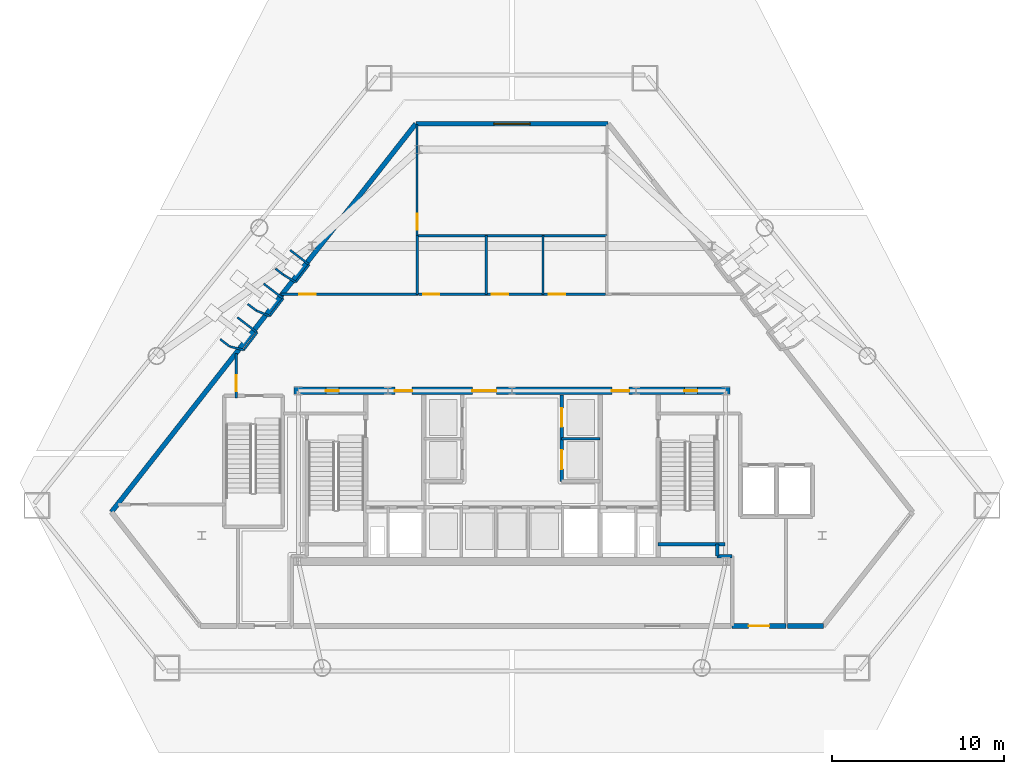
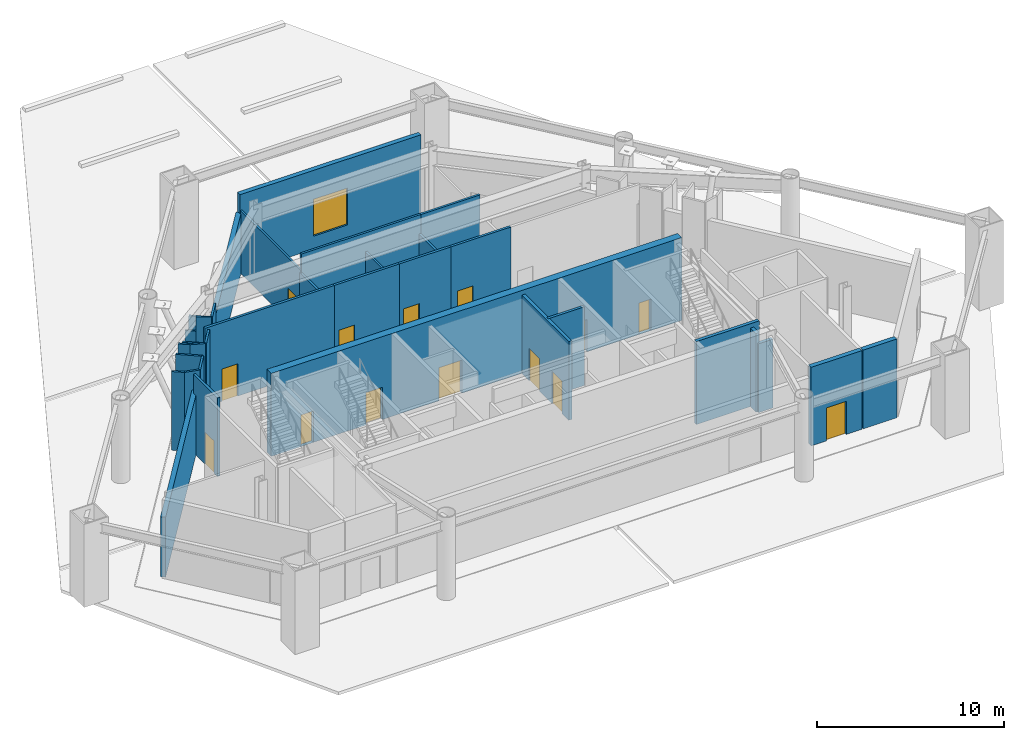
# One storey, part 5 of 9: 33 walls, 14 doors, 1 window, 15 openings.
"""IFC4 building model written with IfcOpenShell, lengths in metres."""

from ifc_helpers import new_model, si_unit, direction, frame, frame_2d, origin, place, context, subcontext, project, spatial, rectangle, extrude, material, layer, layer_set, type_object, element, fill, save


model = new_model("IFC4")

# Units and contexts
model_context = context("Model", 3, precision=1e-05, world=origin(), true_north=direction((0.0, 1.0)))
body_context = subcontext(model_context, "Body", "Model", "MODEL_VIEW")
ifc_project = project(units=[si_unit("LENGTHUNIT", "METRE"), si_unit("AREAUNIT", "SQUARE_METRE"), si_unit("VOLUMEUNIT", "CUBIC_METRE"), si_unit("PLANEANGLEUNIT", "RADIAN"), si_unit("MASSUNIT", "GRAM", prefix="KILO")], contexts=[model_context])

# Site, building, storey
site_placement = place(None, origin())
site = spatial("IfcSite", under=ifc_project, at=site_placement, CompositionType="ELEMENT")
building_placement = place(site_placement, origin())
building = spatial("IfcBuilding", under=site, at=building_placement, Name="Talgorran Terracotta Tower", CompositionType="ELEMENT")
storey_placement = place(building_placement, origin())
storey = spatial("IfcBuildingStorey", under=building, at=storey_placement, Name="L00", CompositionType="ELEMENT", Elevation=0.0)

# Wall
ifc_material_1 = material(Name="Concrete C50/60", Category="concrete")
ifc_layer_1 = layer(ifc_material_1, 0.199951171875, Name="WT_CORE_200")
ifc_layer_set_1 = layer_set([ifc_layer_1], Name="Concrete C50/60")
wall_type_1 = type_object("IfcWallType", Name="WT_CORE_200", PredefinedType="SOLIDWALL", material=ifc_layer_set_1)
wall_1_placement = place(storey_placement, frame((8.47998046875, -13.10009765625, 0.0), z_axis=(0.0, 0.0, 1.0), x_axis=(1.0, 0.0, 0.0)))
element("IfcWall", 1, at=wall_1_placement, inside=storey, type_object=wall_type_1, Name="WL-L00-CW-ST2-S", PredefinedType="SOLIDWALL", context=body_context, shape_type="SweptSolid", body=[
    extrude(rectangle(XDim=3.8701171875, YDim=0.199951171875, at=frame_2d((1.93505859375, 0.0))), origin(), (0.0, 0.0, 1.0), 5.39990234375),
])

# Wall, openings, doors
wall_2_placement = place(storey_placement, frame((2.8798828125, -9.449951171875, 0.0), z_axis=(0.0, 0.0, 1.0), x_axis=(0.0, 1.0, 0.0)))
wall_2 = element("IfcWall", 2, at=wall_2_placement, inside=storey, type_object=wall_type_1, Name="WL-L00-CW-V-E3", PredefinedType="SOLIDWALL", context=body_context, shape_type="SweptSolid", body=[
    extrude(rectangle(XDim=5.0, YDim=0.199951171875, at=frame_2d((2.5, 0.0))), origin(), (0.0, 0.0, 1.0), 5.1201171875),
])
opening_1_placement = place(wall_2_placement, frame((0.699951171875, 0.0, 0.0)))
opening_1 = element("IfcOpeningElement", 3, at=opening_1_placement, cuts=wall_2, Name="Opening LD-PLM1", PredefinedType="OPENING", context=body_context, shape_type="SweptSolid", body=[
    extrude(rectangle(XDim=1.10609765625, YDim=2.10409765625, at=frame_2d((0.550048828125, 1.052001953125))), frame((0.0, 0.10986328125, 0.0), z_axis=(0.0, -1.0, 0.0), x_axis=(1.0, 0.0, 0.0)), (0.0, 0.0, 1.0), 0.219970703125),
])
opening_2_placement = place(wall_2_placement, frame((3.14990234375, 0.0, 0.0)))
opening_2 = element("IfcOpeningElement", 4, at=opening_2_placement, cuts=wall_2, Name="Opening LD-PLM2", PredefinedType="OPENING", context=body_context, shape_type="SweptSolid", body=[
    extrude(rectangle(XDim=1.10609765625, YDim=2.10409765625, at=frame_2d((0.550048828125, 1.052001953125))), frame((0.0, 0.10986328125, 0.0), z_axis=(0.0, -1.0, 0.0), x_axis=(1.0, 0.0, 0.0)), (0.0, 0.0, 1.0), 0.219970703125),
])
ifc_material_2 = material(Name="Brushed Stainless Steel Grade 304", Category="steel")
door_type_1 = type_object("IfcDoorType", Name="DT_LIFT_LD1100", OperationType="DOUBLE_DOOR_SLIDING", PredefinedType="DOOR", material=ifc_material_2)
door_1_placement = place(opening_1_placement, origin())
door_1 = element("IfcDoor", 5, at=door_1_placement, inside=storey, type_object=door_type_1, Name="L00 Lift Landing Door LD-PLM1", OperationType="DOUBLE_DOOR_SLIDING", OverallHeight=2.10009765625, OverallWidth=1.10009765625, PredefinedType="DOOR", context=body_context, shape_type="SweptSolid", body=[
    extrude(rectangle(XDim=1.10009765625, YDim=2.10009765625, at=frame_2d((0.550048828125, 1.050048828125))), frame((0.0, 0.02490234375, 0.0), z_axis=(0.0, -1.0, 0.0), x_axis=(1.0, 0.0, 0.0)), (0.0, 0.0, 1.0), 0.050048828125),
])
fill(opening_1, door_1)
door_2_placement = place(opening_2_placement, origin())
door_2 = element("IfcDoor", 6, at=door_2_placement, inside=storey, type_object=door_type_1, Name="L00 Lift Landing Door LD-PLM2", OperationType="DOUBLE_DOOR_SLIDING", OverallHeight=2.10009765625, OverallWidth=1.10009765625, PredefinedType="DOOR", context=body_context, shape_type="SweptSolid", body=[
    extrude(rectangle(XDim=1.10009765625, YDim=2.10009765625, at=frame_2d((0.550048828125, 1.050048828125))), frame((0.0, 0.02490234375, 0.0), z_axis=(0.0, -1.0, 0.0), x_axis=(1.0, 0.0, 0.0)), (0.0, 0.0, 1.0), 0.050048828125),
])
fill(opening_2, door_2)

# Walls
wall_3_placement = place(storey_placement, frame((11.89990234375, -13.800048828125, 0.0), z_axis=(0.0, 0.0, 1.0), x_axis=(1.0, 0.0, 0.0)))
element("IfcWall", 7, at=wall_3_placement, inside=storey, type_object=wall_type_1, Name="WL-L00-PW-EXPE-S1", PredefinedType="SOLIDWALL", context=body_context, shape_type="SweptSolid", body=[
    extrude(rectangle(XDim=0.880126953125, YDim=0.199951171875, at=frame_2d((0.43994140625, 0.0))), origin(), (0.0, 0.0, 1.0), 4.4833984375),
])
wall_4_placement = place(storey_placement, frame((11.89990234375, -13.800048828125, 0.0), z_axis=(0.0, 0.0, 1.0), x_axis=(0.0, 1.0, 0.0)))
element("IfcWall", 8, at=wall_4_placement, inside=storey, type_object=wall_type_1, Name="WL-L00-PW-EXPE-W1", PredefinedType="SOLIDWALL", context=body_context, shape_type="SweptSolid", body=[
    extrude(rectangle(XDim=0.699951171875, YDim=0.199951171875, at=frame_2d((0.35009765625, 0.0))), origin(), (0.0, 0.0, 1.0), 5.1201171875),
])

# Wall, openings, doors
ifc_material_3 = material(Name="Concrete C65/80", Category="concrete")
ifc_layer_2 = layer(ifc_material_3, 0.449951171875, Name="WT_CORE_EXT")
ifc_layer_set_2 = layer_set([ifc_layer_2], Name="Concrete C65/80")
wall_type_2 = type_object("IfcWallType", Name="WT_CORE_EXT", PredefinedType="SHEAR", material=ifc_layer_set_2)
wall_5_placement = place(storey_placement, frame((-12.64990234375, -4.199951171875, 0.0), z_axis=(0.0, 0.0, 1.0), x_axis=(1.0, 0.0, 0.0)))
wall_5 = element("IfcWall", 9, at=wall_5_placement, inside=storey, type_object=wall_type_2, Name="WL-L00-CW-OUT-N", PredefinedType="SHEAR", context=body_context, shape_type="SweptSolid", body=[
    extrude(rectangle(XDim=25.2998046875, YDim=0.449951171875, at=frame_2d((12.64990234375, 0.0))), origin(), (0.0, 0.0, 1.0), 5.39990234375),
])
opening_3_placement = place(wall_5_placement, frame((1.85009765625, 0.0, 0.0)))
opening_3 = element("IfcOpeningElement", 10, at=opening_3_placement, cuts=wall_5, Name="Opening DR-CSN1", PredefinedType="OPENING", context=body_context, shape_type="SweptSolid", body=[
    extrude(rectangle(XDim=0.756, YDim=2.054048828125, at=frame_2d((0.375, 1.027099609375))), frame((0.0, 0.23486328125, 0.0), z_axis=(0.0, -1.0, 0.0), x_axis=(1.0, 0.0, 0.0)), (0.0, 0.0, 1.0), 0.469970703125),
])
opening_4_placement = place(wall_5_placement, frame((22.64990234375, 0.0, 0.0)))
opening_4 = element("IfcOpeningElement", 11, at=opening_4_placement, cuts=wall_5, Name="Opening DR-CSN2", PredefinedType="OPENING", context=body_context, shape_type="SweptSolid", body=[
    extrude(rectangle(XDim=0.756, YDim=2.054048828125, at=frame_2d((0.375, 1.027099609375))), frame((0.0, 0.23486328125, 0.0), z_axis=(0.0, -1.0, 0.0), x_axis=(1.0, 0.0, 0.0)), (0.0, 0.0, 1.0), 0.469970703125),
])
opening_5_placement = place(wall_5_placement, frame((5.85009765625, 0.0, 0.0)))
opening_5 = element("IfcOpeningElement", 12, at=opening_5_placement, cuts=wall_5, Name="Opening DR-FFLW-N", PredefinedType="OPENING", context=body_context, shape_type="SweptSolid", body=[
    extrude(rectangle(XDim=1.006, YDim=2.10409765625, at=frame_2d((0.5, 1.052001953125))), frame((0.0, 0.23486328125, 0.0), z_axis=(0.0, -1.0, 0.0), x_axis=(1.0, 0.0, 0.0)), (0.0, 0.0, 1.0), 0.469970703125),
])
opening_6_placement = place(wall_5_placement, frame((10.35009765625, 0.0, 0.0)))
opening_6 = element("IfcOpeningElement", 13, at=opening_6_placement, cuts=wall_5, Name="Opening DR-PLL-N", PredefinedType="OPENING", context=body_context, shape_type="SweptSolid", body=[
    extrude(rectangle(XDim=1.40590234375, YDim=2.15390234375, at=frame_2d((0.699951171875, 1.076904296875))), frame((0.0, 0.23486328125, 0.0), z_axis=(0.0, -1.0, 0.0), x_axis=(1.0, 0.0, 0.0)), (0.0, 0.0, 1.0), 0.469970703125),
])
opening_7_placement = place(wall_5_placement, frame((18.449951171875, 0.0, 0.0)))
opening_7 = element("IfcOpeningElement", 14, at=opening_7_placement, cuts=wall_5, Name="Opening DR-FFLE-N", PredefinedType="OPENING", context=body_context, shape_type="SweptSolid", body=[
    extrude(rectangle(XDim=1.006, YDim=2.10409765625, at=frame_2d((0.5, 1.052001953125))), frame((0.0, 0.23486328125, 0.0), z_axis=(0.0, -1.0, 0.0), x_axis=(1.0, 0.0, 0.0)), (0.0, 0.0, 1.0), 0.469970703125),
])
ifc_material_4 = material(Name="Acoustic Glazed Timber", Category="wood")
door_type_2 = type_object("IfcDoorType", Name="DT_DOUBLE_1400", OperationType="DOUBLE_DOOR_SINGLE_SWING", PredefinedType="DOOR", material=ifc_material_4)
door_3_placement = place(opening_6_placement, origin())
door_3 = element("IfcDoor", 15, at=door_3_placement, inside=storey, type_object=door_type_2, Name="DR-PLL-N", OperationType="DOUBLE_DOOR_SINGLE_SWING", OverallHeight=2.14990234375, OverallWidth=1.39990234375, PredefinedType="DOOR", context=body_context, shape_type="SweptSolid", body=[
    extrude(rectangle(XDim=1.39990234375, YDim=2.14990234375, at=frame_2d((0.699951171875, 1.074951171875))), frame((0.0, 0.02490234375, 0.0), z_axis=(0.0, -1.0, 0.0), x_axis=(1.0, 0.0, 0.0)), (0.0, 0.0, 1.0), 0.050048828125),
])
fill(opening_6, door_3)
ifc_material_5 = material(Name="Fire-Rated Pressed Steel", Category="steel")
door_type_3 = type_object("IfcDoorType", Name="DT_FIRE_1000", OperationType="NOTDEFINED", PredefinedType="DOOR", material=ifc_material_5)
door_4_placement = place(opening_5_placement, origin())
door_4 = element("IfcDoor", 16, at=door_4_placement, inside=storey, type_object=door_type_3, Name="DR-FFLW-N", OperationType="SINGLE_SWING_LEFT", OverallHeight=2.10009765625, OverallWidth=1.0, PredefinedType="DOOR", context=body_context, shape_type="SweptSolid", body=[
    extrude(rectangle(XDim=1.0, YDim=2.10009765625, at=frame_2d((0.5, 1.050048828125))), frame((0.0, 0.02490234375, 0.0), z_axis=(0.0, -1.0, 0.0), x_axis=(1.0, 0.0, 0.0)), (0.0, 0.0, 1.0), 0.050048828125),
])
fill(opening_5, door_4)
door_5_placement = place(opening_7_placement, origin())
door_5 = element("IfcDoor", 17, at=door_5_placement, inside=storey, type_object=door_type_3, Name="DR-FFLE-N", OperationType="SINGLE_SWING_RIGHT", OverallHeight=2.10009765625, OverallWidth=1.0, PredefinedType="DOOR", context=body_context, shape_type="SweptSolid", body=[
    extrude(rectangle(XDim=1.0, YDim=2.10009765625, at=frame_2d((0.5, 1.050048828125))), frame((0.0, 0.02490234375, 0.0), z_axis=(0.0, -1.0, 0.0), x_axis=(1.0, 0.0, 0.0)), (0.0, 0.0, 1.0), 0.050048828125),
])
fill(opening_7, door_5)
door_type_4 = type_object("IfcDoorType", Name="DT_RISER_750", OperationType="NOTDEFINED", PredefinedType="DOOR", material=ifc_material_5)
door_6_placement = place(opening_3_placement, origin())
door_6 = element("IfcDoor", 18, at=door_6_placement, inside=storey, type_object=door_type_4, Name="DR-CSN1", OperationType="SINGLE_SWING_LEFT", OverallHeight=2.050048828125, OverallWidth=0.75, PredefinedType="DOOR", context=body_context, shape_type="SweptSolid", body=[
    extrude(rectangle(XDim=0.75, YDim=2.050048828125, at=frame_2d((0.375, 1.02490234375))), frame((0.0, 0.02490234375, 0.0), z_axis=(0.0, -1.0, 0.0), x_axis=(1.0, 0.0, 0.0)), (0.0, 0.0, 1.0), 0.050048828125),
])
fill(opening_3, door_6)
door_7_placement = place(opening_4_placement, origin())
door_7 = element("IfcDoor", 19, at=door_7_placement, inside=storey, type_object=door_type_4, Name="DR-CSN2", OperationType="SINGLE_SWING_RIGHT", OverallHeight=2.050048828125, OverallWidth=0.75, PredefinedType="DOOR", context=body_context, shape_type="SweptSolid", body=[
    extrude(rectangle(XDim=0.75, YDim=2.050048828125, at=frame_2d((0.375, 1.02490234375))), frame((0.0, 0.02490234375, 0.0), z_axis=(0.0, -1.0, 0.0), x_axis=(1.0, 0.0, 0.0)), (0.0, 0.0, 1.0), 0.050048828125),
])
fill(opening_4, door_7)

# Wall, opening, door
ifc_material_6 = material(Name="Fire-Rated Steel Stud Plasterboard", Category="steel")
ifc_layer_3 = layer(ifc_material_6, 0.14990234375, Name="WT_FIRE_150")
ifc_layer_set_3 = layer_set([ifc_layer_3], Name="Fire-Rated Steel Stud Plasterboard")
wall_type_3 = type_object("IfcWallType", Name="WT_FIRE_150", PredefinedType="PARTITIONING", material=ifc_layer_set_3)
wall_6_placement = place(storey_placement, frame((-13.39990234375, 1.39990234375, 0.0), z_axis=(0.0, 0.0, 1.0), x_axis=(1.0, 0.0, 0.0)))
wall_6 = element("IfcWall", 20, at=wall_6_placement, inside=storey, type_object=wall_type_3, Name="WL-L00-W-L00-R03", PredefinedType="PARTITIONING", context=body_context, shape_type="SweptSolid", body=[
    extrude(rectangle(XDim=7.9599609375, YDim=0.14990234375, at=frame_2d((3.97998046875, 0.0))), origin(), (0.0, 0.0, 1.0), 5.1201171875),
])
opening_8_placement = place(wall_6_placement, frame((1.058837890625, 0.0, 0.0)))
opening_8 = element("IfcOpeningElement", 21, at=opening_8_placement, cuts=wall_6, Name="Opening DR-L00-R04", PredefinedType="OPENING", context=body_context, shape_type="SweptSolid", body=[
    extrude(rectangle(XDim=0.955951171875, YDim=2.10409765625, at=frame_2d((0.47509765625, 1.052001953125))), frame((0.0, 0.0849609375, 0.0), z_axis=(0.0, -1.0, 0.0), x_axis=(1.0, 0.0, 0.0)), (0.0, 0.0, 1.0), 0.169921875),
])
ifc_material_7 = material(Name="Fire-Rated Timber Core", Category="wood")
door_type_5 = type_object("IfcDoorType", Name="DT_FIRE_950", OperationType="NOTDEFINED", PredefinedType="DOOR", material=ifc_material_7)
door_8_placement = place(opening_8_placement, origin())
door_8 = element("IfcDoor", 22, at=door_8_placement, inside=storey, type_object=door_type_5, Name="DR-L00-R04", OperationType="SINGLE_SWING_RIGHT", OverallHeight=2.10009765625, OverallWidth=0.949951171875, PredefinedType="DOOR", context=body_context, shape_type="SweptSolid", body=[
    extrude(rectangle(XDim=0.949951171875, YDim=2.10009765625, at=frame_2d((0.47509765625, 1.050048828125))), frame((0.0, 0.02490234375, 0.0), z_axis=(0.0, -1.0, 0.0), x_axis=(1.0, 0.0, 0.0)), (0.0, 0.0, 1.0), 0.050048828125),
])
fill(opening_8, door_8)

wall_7_placement = place(storey_placement, frame((-5.43798828125, 1.39990234375, 0.0), z_axis=(0.0, 0.0, 1.0), x_axis=(1.0, 0.0, 0.0)))
wall_7 = element("IfcWall", 23, at=wall_7_placement, inside=storey, type_object=wall_type_3, Name="WL-L00-W-L00-R02", PredefinedType="PARTITIONING", context=body_context, shape_type="SweptSolid", body=[
    extrude(rectangle(XDim=3.998046875, YDim=0.14990234375, at=frame_2d((1.9990234375, 0.0))), origin(), (0.0, 0.0, 1.0), 5.1201171875),
])
opening_9_placement = place(wall_7_placement, frame((0.275146484375, 0.0, 0.0)))
opening_9 = element("IfcOpeningElement", 24, at=opening_9_placement, cuts=wall_7, Name="Opening DR-L00-R03", PredefinedType="OPENING", context=body_context, shape_type="SweptSolid", body=[
    extrude(rectangle(XDim=0.955951171875, YDim=2.10409765625, at=frame_2d((0.47509765625, 1.052001953125))), frame((0.0, 0.0849609375, 0.0), z_axis=(0.0, -1.0, 0.0), x_axis=(1.0, 0.0, 0.0)), (0.0, 0.0, 1.0), 0.169921875),
])
door_9_placement = place(opening_9_placement, origin())
door_9 = element("IfcDoor", 25, at=door_9_placement, inside=storey, type_object=door_type_5, Name="DR-L00-R03", OperationType="SINGLE_SWING_LEFT", OverallHeight=2.10009765625, OverallWidth=0.949951171875, PredefinedType="DOOR", context=body_context, shape_type="SweptSolid", body=[
    extrude(rectangle(XDim=0.949951171875, YDim=2.10009765625, at=frame_2d((0.47509765625, 1.050048828125))), frame((0.0, 0.02490234375, 0.0), z_axis=(0.0, -1.0, 0.0), x_axis=(1.0, 0.0, 0.0)), (0.0, 0.0, 1.0), 0.050048828125),
])
fill(opening_9, door_9)

wall_8_placement = place(storey_placement, frame((1.739990234375, 1.39990234375, 0.0), z_axis=(0.0, 0.0, 1.0), x_axis=(1.0, 0.0, 0.0)))
wall_8 = element("IfcWall", 26, at=wall_8_placement, inside=storey, type_object=wall_type_3, Name="WL-L00-W-L00-R05", PredefinedType="PARTITIONING", context=body_context, shape_type="SweptSolid", body=[
    extrude(rectangle(XDim=3.697998046875, YDim=0.14990234375, at=frame_2d((1.84912109375, 0.0))), origin(), (0.0, 0.0, 1.0), 5.1201171875),
])
opening_10_placement = place(wall_8_placement, frame((0.39892578125, 0.0, 0.0)))
opening_10 = element("IfcOpeningElement", 27, at=opening_10_placement, cuts=wall_8, Name="Opening DR-L00-R07", PredefinedType="OPENING", context=body_context, shape_type="SweptSolid", body=[
    extrude(rectangle(XDim=0.955951171875, YDim=2.10409765625, at=frame_2d((0.47509765625, 1.052001953125))), frame((0.0, 0.0849609375, 0.0), z_axis=(0.0, -1.0, 0.0), x_axis=(1.0, 0.0, 0.0)), (0.0, 0.0, 1.0), 0.169921875),
])
door_10_placement = place(opening_10_placement, origin())
door_10 = element("IfcDoor", 28, at=door_10_placement, inside=storey, type_object=door_type_5, Name="DR-L00-R07", OperationType="SINGLE_SWING_LEFT", OverallHeight=2.10009765625, OverallWidth=0.949951171875, PredefinedType="DOOR", context=body_context, shape_type="SweptSolid", body=[
    extrude(rectangle(XDim=0.949951171875, YDim=2.10009765625, at=frame_2d((0.47509765625, 1.050048828125))), frame((0.0, 0.02490234375, 0.0), z_axis=(0.0, -1.0, 0.0), x_axis=(1.0, 0.0, 0.0)), (0.0, 0.0, 1.0), 0.050048828125),
])
fill(opening_10, door_10)

wall_9_placement = place(storey_placement, frame((-1.43798828125, 1.39990234375, 0.0), z_axis=(0.0, 0.0, 1.0), x_axis=(1.0, 0.0, 0.0)))
wall_9 = element("IfcWall", 29, at=wall_9_placement, inside=storey, type_object=wall_type_3, Name="WL-L00-W-L00-R04", PredefinedType="PARTITIONING", context=body_context, shape_type="SweptSolid", body=[
    extrude(rectangle(XDim=3.176025390625, YDim=0.14990234375, at=frame_2d((1.587890625, 0.0))), origin(), (0.0, 0.0, 1.0), 5.1201171875),
])
opening_11_placement = place(wall_9_placement, frame((0.276611328125, 0.0, 0.0)))
opening_11 = element("IfcOpeningElement", 30, at=opening_11_placement, cuts=wall_9, Name="Opening DR-L00-R06", PredefinedType="OPENING", context=body_context, shape_type="SweptSolid", body=[
    extrude(rectangle(XDim=0.955951171875, YDim=2.10409765625, at=frame_2d((0.47509765625, 1.052001953125))), frame((0.0, 0.0849609375, 0.0), z_axis=(0.0, -1.0, 0.0), x_axis=(1.0, 0.0, 0.0)), (0.0, 0.0, 1.0), 0.169921875),
])
door_11_placement = place(opening_11_placement, origin())
door_11 = element("IfcDoor", 31, at=door_11_placement, inside=storey, type_object=door_type_5, Name="DR-L00-R06", OperationType="SINGLE_SWING_RIGHT", OverallHeight=2.10009765625, OverallWidth=0.949951171875, PredefinedType="DOOR", context=body_context, shape_type="SweptSolid", body=[
    extrude(rectangle(XDim=0.949951171875, YDim=2.10009765625, at=frame_2d((0.47509765625, 1.050048828125))), frame((0.0, 0.02490234375, 0.0), z_axis=(0.0, -1.0, 0.0), x_axis=(1.0, 0.0, 0.0)), (0.0, 0.0, 1.0), 0.050048828125),
])
fill(opening_11, door_11)

wall_10_placement = place(storey_placement, frame((-16.0, -4.6201171875, 0.0), z_axis=(0.0, 0.0, 1.0), x_axis=(0.0, 1.0, 0.0)))
wall_10 = element("IfcWall", 32, at=wall_10_placement, inside=storey, type_object=wall_type_3, Name="WL-L00-W-L00-R01", PredefinedType="PARTITIONING", context=body_context, shape_type="SweptSolid", body=[
    extrude(rectangle(XDim=2.572998046875, YDim=0.14990234375, at=frame_2d((1.28662109375, 0.0))), origin(), (0.0, 0.0, 1.0), 5.1201171875),
])
opening_12_placement = place(wall_10_placement, frame((0.37890625, 0.0, 0.0)))
opening_12 = element("IfcOpeningElement", 33, at=opening_12_placement, cuts=wall_10, Name="Opening DR-L00-R02", PredefinedType="OPENING", context=body_context, shape_type="SweptSolid", body=[
    extrude(rectangle(XDim=0.955951171875, YDim=2.10409765625, at=frame_2d((0.47509765625, 1.052001953125))), frame((0.0, 0.0849609375, 0.0), z_axis=(0.0, -1.0, 0.0), x_axis=(1.0, 0.0, 0.0)), (0.0, 0.0, 1.0), 0.169921875),
])
door_12_placement = place(opening_12_placement, origin())
door_12 = element("IfcDoor", 34, at=door_12_placement, inside=storey, type_object=door_type_5, Name="DR-L00-R02", OperationType="SINGLE_SWING_RIGHT", OverallHeight=2.10009765625, OverallWidth=0.949951171875, PredefinedType="DOOR", context=body_context, shape_type="SweptSolid", body=[
    extrude(rectangle(XDim=0.949951171875, YDim=2.10009765625, at=frame_2d((0.47509765625, 1.050048828125))), frame((0.0, 0.02490234375, 0.0), z_axis=(0.0, -1.0, 0.0), x_axis=(1.0, 0.0, 0.0)), (0.0, 0.0, 1.0), 0.050048828125),
])
fill(opening_12, door_12)

ifc_material_8 = material(Name="Insulated Steel Stud Plasterboard", Category="steel")
ifc_layer_4 = layer(ifc_material_8, 0.1201171875, Name="WT_PART_120")
ifc_layer_set_4 = layer_set([ifc_layer_4], Name="Insulated Steel Stud Plasterboard")
wall_type_4 = type_object("IfcWallType", Name="WT_PART_120", PredefinedType="PARTITIONING", material=ifc_layer_set_4)
wall_11_placement = place(storey_placement, frame((-5.5, 4.739990234375, 0.0), z_axis=(0.0, 0.0, 1.0), x_axis=(0.0, 1.0, 0.0)))
wall_11 = element("IfcWall", 35, at=wall_11_placement, inside=storey, type_object=wall_type_4, Name="WL-L00-W-L00-R11", PredefinedType="PARTITIONING", context=body_context, shape_type="SweptSolid", body=[
    extrude(rectangle(XDim=6.52001953125, YDim=0.1201171875, at=frame_2d((3.260009765625, 0.0))), origin(), (0.0, 0.0, 1.0), 4.094970703125),
])
opening_13_placement = place(wall_11_placement, frame((0.39892578125, 0.0, 0.0)))
opening_13 = element("IfcOpeningElement", 36, at=opening_13_placement, cuts=wall_11, Name="Opening DR-L00-R05", PredefinedType="OPENING", context=body_context, shape_type="SweptSolid", body=[
    extrude(rectangle(XDim=0.925921875, YDim=2.10409765625, at=frame_2d((0.4599609375, 1.052001953125))), frame((0.0, 0.070068359375, 0.0), z_axis=(0.0, -1.0, 0.0), x_axis=(1.0, 0.0, 0.0)), (0.0, 0.0, 1.0), 0.14013671875),
])
ifc_material_9 = material(Name="Solid-Core Painted Timber", Category="wood")
door_type_6 = type_object("IfcDoorType", Name="DT_INT_920", OperationType="NOTDEFINED", PredefinedType="DOOR", material=ifc_material_9)
door_13_placement = place(opening_13_placement, origin())
door_13 = element("IfcDoor", 37, at=door_13_placement, inside=storey, type_object=door_type_6, Name="DR-L00-R05", OperationType="SINGLE_SWING_LEFT", OverallHeight=2.10009765625, OverallWidth=0.919921875, PredefinedType="DOOR", context=body_context, shape_type="SweptSolid", body=[
    extrude(rectangle(XDim=0.919921875, YDim=2.10009765625, at=frame_2d((0.4599609375, 1.050048828125))), frame((0.0, 0.02490234375, 0.0), z_axis=(0.0, -1.0, 0.0), x_axis=(1.0, 0.0, 0.0)), (0.0, 0.0, 1.0), 0.050048828125),
])
fill(opening_13, door_13)

# Walls
wall_12_placement = place(storey_placement, frame((-15.93701171875, 0.0595703125, 0.0), z_axis=(0.0, 0.0, 1.0), x_axis=(0.793945735428, -0.607988625876, 0.0)))
element("IfcWall", 38, at=wall_12_placement, inside=storey, type_object=wall_type_4, Name="WL-L00-BW-L00-05", PredefinedType="PARTITIONING", context=body_context, shape_type="SweptSolid", body=[
    extrude(rectangle(XDim=1.44677734375, YDim=0.1201171875, at=frame_2d((0.723388671875, 0.0))), origin(), (0.0, 0.0, 1.0), 5.1201171875),
])
wall_13_placement = place(storey_placement, frame((-14.40673828125, 2.01123046875, 0.0), z_axis=(0.0, 0.0, 1.0), x_axis=(0.79390819543, -0.608037644582, 0.0)))
element("IfcWall", 39, at=wall_13_placement, inside=storey, type_object=wall_type_4, Name="WL-L00-BW-L00-09", PredefinedType="PARTITIONING", context=body_context, shape_type="SweptSolid", body=[
    extrude(rectangle(XDim=1.41845703125, YDim=0.1201171875, at=frame_2d((0.709228515625, 0.0))), origin(), (0.0, 0.0, 1.0), 4.18701171875),
])
wall_14_placement = place(storey_placement, frame((-12.876708984375, 3.963134765625, 0.0), z_axis=(0.0, 0.0, 1.0), x_axis=(0.793914201761, -0.6080298021, 0.0)))
element("IfcWall", 40, at=wall_14_placement, inside=storey, type_object=wall_type_4, Name="WL-L00-BW-L00-17", PredefinedType="PARTITIONING", context=body_context, shape_type="SweptSolid", body=[
    extrude(rectangle(XDim=1.390869140625, YDim=0.1201171875, at=frame_2d((0.6953125, 0.0))), origin(), (0.0, 0.0, 1.0), 4.18701171875),
])
for number, where, z_axis, x_axis, name in (
    (41, (-14.788330078125, -0.820068359375, 0.0), (0.0, 0.0, 1.0), (-0.608207299469, -0.793778231543, 0.0), "WL-L00-BW-L00-06"),
    (42, (-11.7724609375, 3.117431640625, 0.0), (0.0, 0.0, 1.0), (-0.60808710872, -0.793870309439, 0.0), "WL-L00-BW-L00-18"),
    (43, (-13.280517578125, 1.148681640625, 0.0), (0.0, 0.0, 1.0), (-0.607995039096, -0.793940824265, 0.0), "WL-L00-BW-L00-10"),
):
    element("IfcWall", number, at=place(storey_placement, frame(where, z_axis=z_axis, x_axis=x_axis)), inside=storey, type_object=wall_type_4, Name=name, PredefinedType="PARTITIONING", context=body_context, shape_type="SweptSolid", body=[
        extrude(rectangle(XDim=1.280029296875, YDim=0.1201171875, at=frame_2d((0.64013671875, 0.0))), origin(), (0.0, 0.0, 1.0), 5.1201171875),
    ])
wall_15_placement = place(storey_placement, frame((-15.56689453125, -1.836181640625, 0.0), z_axis=(0.0, 0.0, 1.0), x_axis=(-0.969885196515, 0.243562529098, 0.0)))
element("IfcWall", 44, at=wall_15_placement, inside=storey, type_object=wall_type_4, Name="WL-L00-BW-L00-07", PredefinedType="PARTITIONING", context=body_context, shape_type="SweptSolid", body=[
    extrude(rectangle(XDim=0.8388671875, YDim=0.1201171875, at=frame_2d((0.41943359375, 0.0))), origin(), (0.0, 0.0, 1.0), 5.1201171875),
])
wall_16_placement = place(storey_placement, frame((-14.058837890625, 0.13232421875, 0.0), z_axis=(0.0, 0.0, 1.0), x_axis=(-0.925155462349, 0.379588422486, 0.0)))
element("IfcWall", 45, at=wall_16_placement, inside=storey, type_object=wall_type_4, Name="WL-L00-BW-L00-11", PredefinedType="PARTITIONING", context=body_context, shape_type="SweptSolid", body=[
    extrude(rectangle(XDim=0.83544921875, YDim=0.1201171875, at=frame_2d((0.417724609375, 0.0))), origin(), (0.0, 0.0, 1.0), 5.1201171875),
])
wall_17_placement = place(storey_placement, frame((-12.55078125, 2.101318359375, 0.0), z_axis=(0.0, 0.0, 1.0), x_axis=(-0.856169758015, 0.516694634635, 0.0)))
element("IfcWall", 46, at=wall_17_placement, inside=storey, type_object=wall_type_4, Name="WL-L00-BW-L00-19", PredefinedType="PARTITIONING", context=body_context, shape_type="SweptSolid", body=[
    extrude(rectangle(XDim=0.83203125, YDim=0.1201171875, at=frame_2d((0.416015625, 0.0))), origin(), (0.0, 0.0, 1.0), 5.1201171875),
])
wall_18_placement = place(storey_placement, frame((-16.380615234375, -1.6318359375, 0.0), z_axis=(0.0, 0.0, 1.0), x_axis=(-0.79396842603, 0.607958994068, 0.0)))
element("IfcWall", 47, at=wall_18_placement, inside=storey, type_object=wall_type_4, Name="WL-L00-BW-L00-08", PredefinedType="PARTITIONING", context=body_context, shape_type="SweptSolid", body=[
    extrude(rectangle(XDim=0.6943359375, YDim=0.1201171875, at=frame_2d((0.34716796875, 0.0))), origin(), (0.0, 0.0, 1.0), 5.1201171875),
])
wall_19_placement = place(storey_placement, frame((-14.831787109375, 0.449462890625, 0.0), z_axis=(0.0, 0.0, 1.0), x_axis=(-0.794093361628, 0.607795798783, 0.0)))
element("IfcWall", 48, at=wall_19_placement, inside=storey, type_object=wall_type_4, Name="WL-L00-BW-L00-12", PredefinedType="PARTITIONING", context=body_context, shape_type="SweptSolid", body=[
    extrude(rectangle(XDim=0.629150390625, YDim=0.1201171875, at=frame_2d((0.314453125, 0.0))), origin(), (0.0, 0.0, 1.0), 5.1201171875),
])
wall_20_placement = place(storey_placement, frame((-13.26318359375, 2.53125, 0.0), z_axis=(0.0, 0.0, 1.0), x_axis=(-0.793891130038, 0.608059926032, 0.0)))
element("IfcWall", 49, at=wall_20_placement, inside=storey, type_object=wall_type_4, Name="WL-L00-BW-L00-20", PredefinedType="PARTITIONING", context=body_context, shape_type="SweptSolid", body=[
    extrude(rectangle(XDim=0.579345703125, YDim=0.1201171875, at=frame_2d((0.28955078125, 0.0))), origin(), (0.0, 0.0, 1.0), 4.18701171875),
])
ifc_material_10 = material(Name="Moisture-Resistant Stud Wall")
ifc_layer_5 = layer(ifc_material_10, 0.135009765625, Name="WT_PART_135")
ifc_layer_set_5 = layer_set([ifc_layer_5], Name="Moisture-Resistant Stud Wall")
wall_type_5 = type_object("IfcWallType", Name="WT_PART_135", PredefinedType="PARTITIONING", material=ifc_layer_set_5)
wall_21_placement = place(storey_placement, frame((-5.5, 4.800048828125, 0.0), z_axis=(0.0, 0.0, 1.0), x_axis=(1.0, 0.0, 0.0)))
element("IfcWall", 50, at=wall_21_placement, inside=storey, type_object=wall_type_5, Name="WL-L00-W-L00-R09", PredefinedType="PARTITIONING", context=body_context, shape_type="SweptSolid", body=[
    extrude(rectangle(XDim=7.360107421875, YDim=0.135009765625, at=frame_2d((3.68017578125, 0.0))), origin(), (0.0, 0.0, 1.0), 5.1201171875),
])
wall_22_placement = place(storey_placement, frame((1.862060546875, 4.800048828125, 0.0), z_axis=(0.0, 0.0, 1.0), x_axis=(1.0, 0.0, 0.0)))
element("IfcWall", 51, at=wall_22_placement, inside=storey, type_object=wall_type_5, Name="WL-L00-W-L00-R13", PredefinedType="PARTITIONING", context=body_context, shape_type="SweptSolid", body=[
    extrude(rectangle(XDim=3.637939453125, YDim=0.135009765625, at=frame_2d((1.81884765625, 0.0))), origin(), (0.0, 0.0, 1.0), 5.1201171875),
])
for number, where, z_axis, x_axis, name in (
    (52, (-5.5, 1.39990234375, 0.0), (0.0, 0.0, 1.0), (0.0, 1.0, 0.0), "WL-L00-W-L00-R08"),
    (53, (-1.5, 1.39990234375, 0.0), (0.0, 0.0, 1.0), (0.0, 1.0, 0.0), "WL-L00-W-L00-R10"),
    (54, (1.800048828125, 1.39990234375, 0.0), (0.0, 0.0, 1.0), (0.0, 1.0, 0.0), "WL-L00-W-L00-R15"),
):
    element("IfcWall", number, at=place(storey_placement, frame(where, z_axis=z_axis, x_axis=x_axis)), inside=storey, type_object=wall_type_5, Name=name, PredefinedType="PARTITIONING", context=body_context, shape_type="SweptSolid", body=[
        extrude(rectangle(XDim=3.400146484375, YDim=0.135009765625, at=frame_2d((1.7001953125, 0.0))), origin(), (0.0, 0.0, 1.0), 3.89501953125),
    ])
ifc_material_11 = material(Name="Fire-Rated Shaftwall")
ifc_layer_6 = layer(ifc_material_11, 0.159912109375, Name="WT_PART_150")
ifc_layer_set_6 = layer_set([ifc_layer_6], Name="Fire-Rated Shaftwall")
wall_type_6 = type_object("IfcWallType", Name="WT_PART_150", PredefinedType="PARTITIONING", material=ifc_layer_set_6)
wall_23_placement = place(storey_placement, frame((2.8798828125, -6.97998046875, 0.0), z_axis=(0.0, 0.0, 1.0), x_axis=(1.0, 0.0, 0.0)))
element("IfcWall", 55, at=wall_23_placement, inside=storey, type_object=wall_type_6, Name="WL-L00-CW-PLM-DIV", PredefinedType="PARTITIONING", context=body_context, shape_type="SweptSolid", body=[
    extrude(rectangle(XDim=2.240234375, YDim=0.159912109375, at=frame_2d((1.1201171875, 0.0))), origin(), (0.0, 0.0, 1.0), 5.1201171875),
])
ifc_material_12 = material(Name="Concrete C40/50", Category="concrete")
ifc_layer_7 = layer(ifc_material_12, 0.280029296875, Name="WT_PAVILION_TERRA")
ifc_layer_set_7 = layer_set([ifc_layer_7], Name="Concrete C40/50")
wall_type_7 = type_object("IfcWallType", Name="WT_PAVILION_TERRA", PredefinedType="STANDARD", material=ifc_layer_set_7)
wall_24_placement = place(storey_placement, frame((18.06298828125, -17.85009765625, -0.014892578125), z_axis=(0.0, 0.0, 1.0), x_axis=(-1.0, 0.0, 0.0)))
element("IfcWall", 56, at=wall_24_placement, inside=storey, type_object=wall_type_7, Name="WL-L00-PAV-4", PredefinedType="STANDARD", context=body_context, shape_type="SweptSolid", body=[
    extrude(rectangle(XDim=2.0830078125, YDim=0.280029296875, at=frame_2d((1.04150390625, 0.0))), origin(), (0.0, 0.0, 1.0), 5.135009765625),
])

# Wall, opening, window
wall_25_placement = place(storey_placement, frame((-5.5830078125, 11.2900390625, -0.014892578125), z_axis=(0.0, 0.0, 1.0), x_axis=(1.0, 0.0, 0.0)))
wall_25 = element("IfcWall", 57, at=wall_25_placement, inside=storey, type_object=wall_type_7, Name="WL-L00-PAV-7", PredefinedType="STANDARD", context=body_context, shape_type="SweptSolid", body=[
    extrude(rectangle(XDim=11.166015625, YDim=0.280029296875, at=frame_2d((5.5830078125, 0.0))), origin(), (0.0, 0.0, 1.0), 5.135009765625),
])
opening_14_placement = place(wall_25_placement, frame((4.532958984375, 0.0, 0.85009765625)))
opening_14 = element("IfcOpeningElement", 58, at=opening_14_placement, cuts=wall_25, Name="Opening WN-PAV-7", PredefinedType="OPENING", context=body_context, shape_type="SweptSolid", body=[
    extrude(rectangle(XDim=2.10609765625, YDim=2.40390234375, at=frame_2d((1.050048828125, 1.201904296875))), frame((0.0, 0.14990234375, 0.0), z_axis=(0.0, -1.0, 0.0), x_axis=(1.0, 0.0, 0.0)), (0.0, 0.0, 1.0), 0.300048828125),
])
ifc_material_13 = material(Name="Thermally Broken Aluminium and Low-E Glass", Category="aluminium")
window_type = type_object("IfcWindowType", Name="WNT_PAV_2100", PartitioningType="SINGLE_PANEL", PredefinedType="WINDOW", material=ifc_material_13)
window_placement = place(opening_14_placement, origin())
window = element("IfcWindow", 59, at=window_placement, inside=storey, type_object=window_type, Name="WN-L00-PAV-7", OverallHeight=2.39990234375, OverallWidth=2.10009765625, PartitioningType="SINGLE_PANEL", PredefinedType="WINDOW", context=body_context, shape_type="SweptSolid", body=[
    extrude(rectangle(XDim=2.10009765625, YDim=2.39990234375, at=frame_2d((1.050048828125, 1.199951171875))), frame((0.0, 0.030029296875, 0.0), z_axis=(0.0, -1.0, 0.0), x_axis=(1.0, 0.0, 0.0)), (0.0, 0.0, 1.0), 0.06005859375),
])
fill(opening_14, window)

# Wall
wall_26_placement = place(storey_placement, frame((-23.24462890625, -11.239990234375, -0.014892578125), z_axis=(0.0, 0.0, 1.0), x_axis=(0.616945483616, 0.787005889588, 0.0)))
element("IfcWall", 60, at=wall_26_placement, inside=storey, type_object=wall_type_7, Name="WL-L00-PAV-8", PredefinedType="STANDARD", context=body_context, shape_type="SweptSolid", body=[
    extrude(rectangle(XDim=28.62744140625, YDim=0.280029296875, at=frame_2d((14.313720703125, 0.0))), origin(), (0.0, 0.0, 1.0), 3.909912109375),
])

# Wall, opening, door
wall_27_placement = place(storey_placement, frame((15.89990234375, -17.85009765625, 0.0), z_axis=(0.0, 0.0, 1.0), x_axis=(-1.0, 0.0, 0.0)))
wall_27 = element("IfcWall", 61, at=wall_27_placement, inside=storey, type_object=wall_type_7, Name="WL-L00-EXPE-EXT", PredefinedType="STANDARD", context=body_context, shape_type="SweptSolid", body=[
    extrude(rectangle(XDim=3.119873046875, YDim=0.280029296875, at=frame_2d((1.56005859375, 0.0))), origin(), (0.0, 0.0, 1.0), 5.1201171875),
])
opening_15_placement = place(wall_27_placement, frame((0.9599609375, 0.0, 0.0)))
opening_15 = element("IfcOpeningElement", 62, at=opening_15_placement, cuts=wall_27, Name="Opening DR-L00-EXPE", PredefinedType="OPENING", context=body_context, shape_type="SweptSolid", body=[
    extrude(rectangle(XDim=1.205951171875, YDim=2.15390234375, at=frame_2d((0.60009765625, 1.076904296875))), frame((0.0, 0.14990234375, 0.0), z_axis=(0.0, -1.0, 0.0), x_axis=(1.0, 0.0, 0.0)), (0.0, 0.0, 1.0), 0.300048828125),
])
ifc_material_14 = material(Name="Steel Grade 350 (350L0)", Category="steel")
door_type_7 = type_object("IfcDoorType", Name="DT_EXIT_1200", OperationType="NOTDEFINED", PredefinedType="DOOR", material=ifc_material_14)
door_14_placement = place(opening_15_placement, origin())
door_14 = element("IfcDoor", 63, at=door_14_placement, inside=storey, type_object=door_type_7, Name="East Stair Exit Discharge Door", OperationType="SINGLE_SWING_RIGHT", OverallHeight=2.14990234375, OverallWidth=1.199951171875, PredefinedType="DOOR", context=body_context, shape_type="SweptSolid", body=[
    extrude(rectangle(XDim=1.199951171875, YDim=2.14990234375, at=frame_2d((0.60009765625, 1.074951171875))), frame((0.0, 0.02490234375, 0.0), z_axis=(0.0, -1.0, 0.0), x_axis=(1.0, 0.0, 0.0)), (0.0, 0.0, 1.0), 0.050048828125),
])
fill(opening_15, door_14)

save(model, "model.ifc")
